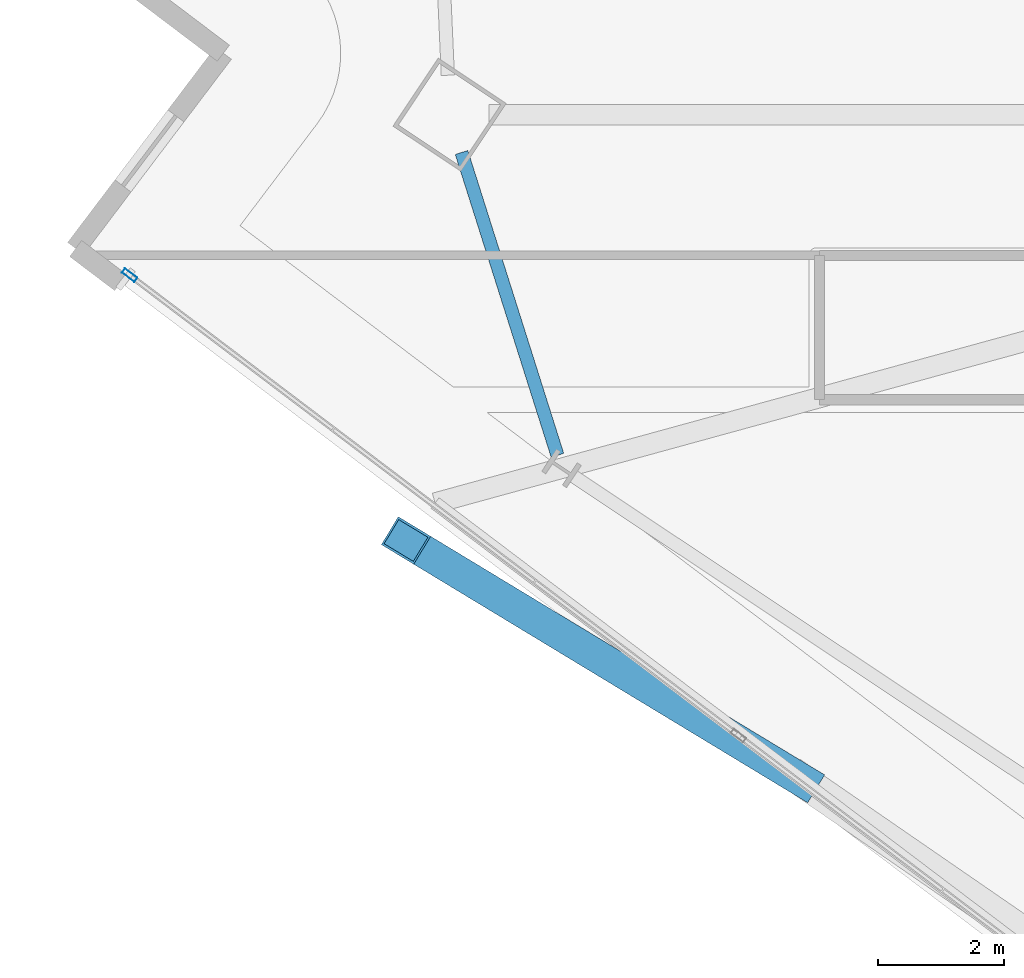
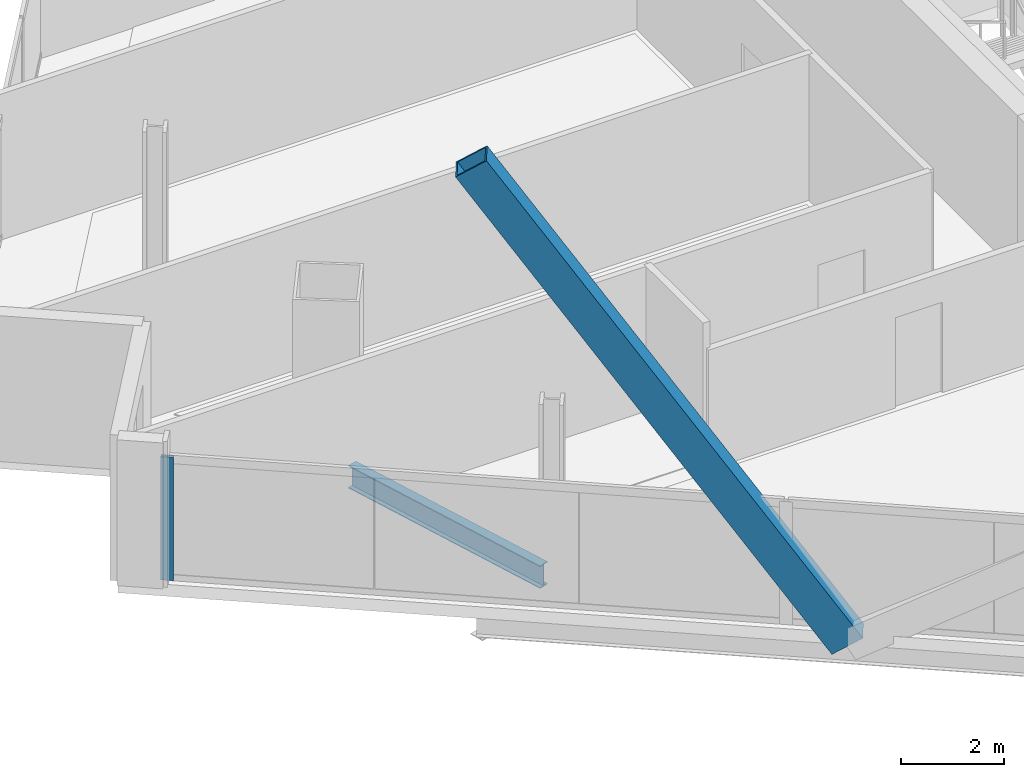
# One storey, part 5 of 34: 2 members, 1 beam, 1 element without a shape of its own.
"""IFC4 building model written with IfcOpenShell, lengths in metres."""

from ifc_helpers import new_model, si_unit, direction, frame, origin, origin_2d, place, context, subcontext, project, spatial, hollow_rectangle, i_section, extrude, material, material_profile, profile_set, type_object, element, aggregate, save


model = new_model("IFC4")

# Units and contexts
model_context = context("Model", 3, precision=1e-05, world=origin(), true_north=direction((0.0, 1.0)))
body_context = subcontext(model_context, "Body", "Model", "MODEL_VIEW")
ifc_project = project(units=[si_unit("LENGTHUNIT", "METRE"), si_unit("AREAUNIT", "SQUARE_METRE"), si_unit("VOLUMEUNIT", "CUBIC_METRE"), si_unit("PLANEANGLEUNIT", "RADIAN"), si_unit("MASSUNIT", "GRAM", prefix="KILO")], contexts=[model_context])

# Site, building, storey
site_placement = place(None, origin())
site = spatial("IfcSite", under=ifc_project, at=site_placement, CompositionType="ELEMENT")
building_placement = place(site_placement, origin())
building = spatial("IfcBuilding", under=site, at=building_placement, Name="Haldenkirk Collegiate Tower", CompositionType="ELEMENT")
storey_placement = place(building_placement, frame((0.0, 0.0, 205.949951171875)))
storey = spatial("IfcBuildingStorey", under=building, at=storey_placement, Name="L51", CompositionType="ELEMENT", Elevation=205.949951171875)

# Beam
ifc_material_1 = material(Name="Steel ASTM A992 Grade 50", Category="steel")
ifc_material_profile_1 = material_profile(ifc_material_1, i_section(OverallWidth=0.2099609375, OverallDepth=0.537109375, WebThickness=0.010986328125, FlangeThickness=0.017333984375, at=origin_2d()), Name="W21X68")
ifc_profile_set_1 = profile_set([ifc_material_profile_1], Name="Steel ASTM A992 Grade 50")
beam_type = type_object("IfcBeamType", Name="BM-SPANDREL-W21X68", PredefinedType="SPANDREL", material=ifc_profile_set_1)
beam_placement = place(storey_placement, frame((12.494873046875, 19.489013671875, -0.54833984375), z_axis=(0.301937009704, -0.95332787758, 0.0), x_axis=(0.95332787758, 0.301937009704, 0.0)))
element("IfcBeam", 1, at=beam_placement, inside=storey, type_object=beam_type, Name="L51 perimeter spandrel beam 13", PredefinedType="SPANDREL", context=body_context, shape_type="SweptSolid", body=[
    extrude(i_section(OverallWidth=0.2099609375, OverallDepth=0.537109375, WebThickness=0.010986328125, FlangeThickness=0.017333984375, at=origin_2d()), origin(), (0.0, 0.0, 1.0), 5.060791015625),
])

# Curtain wall, member
ifc_material_2 = material(Name="Anodised architectural bronze aluminium", Category="aluminium")
curtain_wall_type = type_object("IfcCurtainWallType", Name="CW-SYS1B-CONVEX-HI", PredefinedType="USERDEFINED", material=ifc_material_2)
curtain_wall_placement = place(storey_placement, origin())
curtain_wall = element("IfcCurtainWall", 2, at=curtain_wall_placement, inside=storey, type_object=curtain_wall_type, Name="L51 Upper tower high-wind convex bronze unitised curtain wall", ObjectType="UNITISED CURTAIN WALL", PredefinedType="USERDEFINED")
ifc_material_profile_2 = material_profile(ifc_material_2, hollow_rectangle(XDim=0.0849609375, YDim=0.25, WallThickness=0.0048828125, at=origin_2d()), Name="CW-MUL-1B")
ifc_profile_set_2 = profile_set([ifc_material_profile_2], Name="Anodised architectural bronze aluminium")
member_type_1 = type_object("IfcMemberType", Name="CW-MUL-1B", PredefinedType="MULLION", material=ifc_profile_set_2)
member_1_placement = place(storey_placement, frame((7.207763671875, 17.5341796875, 0.0), z_axis=(0.0, 0.0, 1.0), x_axis=(-0.603207402306, -0.797584371589, 0.0)))
member_1 = element("IfcMember", 3, at=member_1_placement, type_object=member_type_1, Name="CW-1B mullion 4", PredefinedType="MULLION", context=body_context, shape_type="SweptSolid", body=[
    extrude(hollow_rectangle(XDim=0.0849609375, YDim=0.25, WallThickness=0.0048828125, at=origin_2d()), origin(), (0.0, 0.0, 1.0), 2.927978515625),
])
aggregate(curtain_wall, [member_1])

# Member
ifc_material_3 = material(Name="Steel ASTM A572 Grade 50", Category="steel")
ifc_material_profile_3 = material_profile(ifc_material_3, hollow_rectangle(XDim=0.52001953125, YDim=0.719970703125, WallThickness=0.035888671875, at=origin_2d()), Name="BOX720X520X36")
ifc_profile_set_3 = profile_set([ifc_material_profile_3], Name="Steel ASTM A572 Grade 50")
member_type_2 = type_object("IfcMemberType", Name="MBR-MEGABRACE-BOX720X520X36", PredefinedType="BRACE", material=ifc_profile_set_3)
member_2_placement = place(storey_placement, frame((17.885498046875, 9.508544921875, -0.2900390625), z_axis=(-0.467219040376, 0.282909109227, 0.837656734126), x_axis=(-0.517961639477, -0.855403846163, 0.0)))
element("IfcMember", 4, at=member_2_placement, inside=storey, type_object=member_type_2, Name="Perimeter Mega Brace Z4 L51-L53 WL", PredefinedType="BRACE", context=body_context, shape_type="SweptSolid", body=[
    extrude(hollow_rectangle(XDim=0.52001953125, YDim=0.719970703125, WallThickness=0.035888671875, at=origin_2d()), origin(), (0.0, 0.0, 1.0), 13.430419921875),
])

save(model, "model.ifc")
